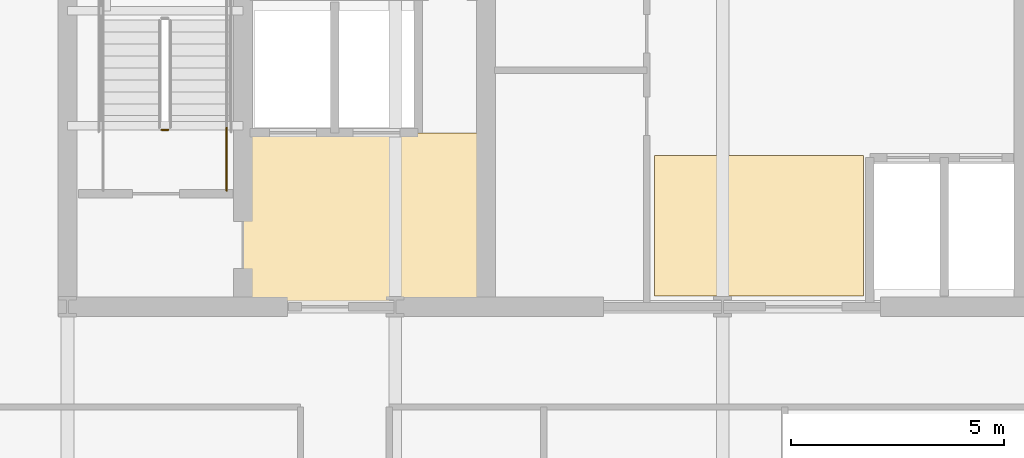
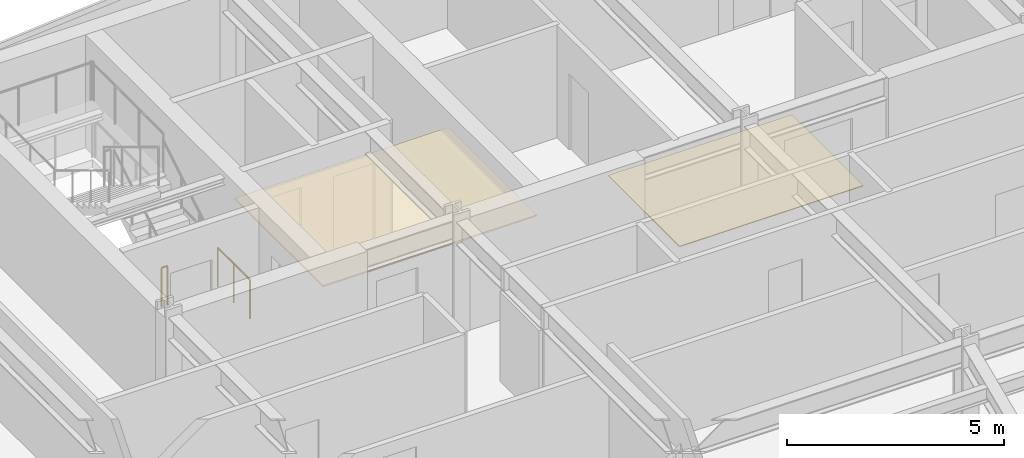
# One storey, part 28 of 32: 2 coverings, 2 railings.
"""IFC4 building model written with IfcOpenShell, lengths in metres."""

import ifcopenshell
import ifcopenshell.guid

model = None  # the IFC model being written
_history = None  # IfcOwnerHistory: only IFC2X3 demands one
_inside = {}  # id of a spatial element -> (the spatial element, [elements in it])
_under = {}  # id of a project, library or spatial element -> (it, [spatial elements below it])
_declared = {}  # id of a project -> (the project, [libraries it declares])
_typed = {}  # id of a type object -> (the type object, [elements of that type])
_made_of = {}  # id of a material, layer set ... -> (it, [elements and type objects made of it])


def new_model(schema):
    """Start an empty IFC model of exactly this schema.

    Asked for "IFC4X3", IfcOpenShell would pick the latest addendum, in which some entities
    have other attributes; the version numbers below select the first issue.
    IFC2X3 requires an IfcOwnerHistory on every rooted entity: one is made here for all.
    """
    global model, _history
    if schema == "IFC4X3":
        model = ifcopenshell.file(schema_version=(4, 3, 0, 0))
    else:
        model = ifcopenshell.file(schema=schema)
    _inside.clear()
    _under.clear()
    _declared.clear()
    _typed.clear()
    _made_of.clear()
    _history = None
    if model.schema == "IFC2X3":
        org = make("IfcOrganization", Name="unknown")
        user = make(
            "IfcPersonAndOrganization",
            ThePerson=make("IfcPerson", FamilyName="unknown"),
            TheOrganization=org,
        )
        app = make(
            "IfcApplication",
            ApplicationDeveloper=org,
            Version="unknown",
            ApplicationFullName="unknown",
            ApplicationIdentifier="unknown",
        )
        _history = make(
            "IfcOwnerHistory",
            OwningUser=user,
            OwningApplication=app,
            ChangeAction="ADDED",
            CreationDate=0,
        )
    return model


def make(cls, **values):
    """One entity of the class cls with the attributes given. An attribute that is None is left unset."""
    return model.create_entity(
        cls, **{name: value for name, value in values.items() if value is not None}
    )


def rooted(cls, **values):
    """An entity with a GlobalId (a new one), such as an element, a storey or a relation."""
    return make(cls, GlobalId=ifcopenshell.guid.new(), OwnerHistory=_history, **values)


def si_unit(unit_type, name, prefix=None):
    """IfcSIUnit, for example si_unit("LENGTHUNIT", "METRE", prefix="MILLI")."""
    return make("IfcSIUnit", UnitType=unit_type, Prefix=prefix, Name=name)


def assignment(units):
    """IfcUnitAssignment: the units of a project."""
    return None if units is None else make("IfcUnitAssignment", Units=units)


def point(xyz):
    """IfcCartesianPoint."""
    return None if xyz is None else make("IfcCartesianPoint", Coordinates=xyz)


def direction(xyz):
    """IfcDirection."""
    return None if xyz is None else make("IfcDirection", DirectionRatios=xyz)


def frame(location, z_axis=None, x_axis=None):
    """IfcAxis2Placement3D, a coordinate frame: its origin and axes. An axis left out is left unset."""
    return make(
        "IfcAxis2Placement3D",
        Location=point(location),
        Axis=direction(z_axis),
        RefDirection=direction(x_axis),
    )


def frame_2d(location, x_axis=None):
    """IfcAxis2Placement2D, a coordinate frame in the plane: its origin and x axis."""
    return make(
        "IfcAxis2Placement2D", Location=point(location), RefDirection=direction(x_axis)
    )


def origin():
    """The frame at (0, 0, 0) with its axes left unset."""
    return frame((0.0, 0.0, 0.0))


def origin_2d():
    """The frame at (0, 0) in the plane with its x axis left unset."""
    return frame_2d((0.0, 0.0))


def place(relative_to, where):
    """IfcLocalPlacement: puts the frame where relative to a parent placement (None: the world)."""
    return make(
        "IfcLocalPlacement", PlacementRelTo=relative_to, RelativePlacement=where
    )


def context(
    kind, dimensions, precision=None, world=None, true_north=None, identifier=None
):
    """IfcGeometricRepresentationContext, for example the 3D "Model" context."""
    return make(
        "IfcGeometricRepresentationContext",
        ContextIdentifier=identifier,
        ContextType=kind,
        CoordinateSpaceDimension=dimensions,
        Precision=precision,
        WorldCoordinateSystem=world,
        TrueNorth=true_north,
    )


def subcontext(parent, identifier, kind, view, scale=None):
    """IfcGeometricRepresentationSubContext, for example "Body" below "Model"."""
    return make(
        "IfcGeometricRepresentationSubContext",
        ContextIdentifier=identifier,
        ContextType=kind,
        ParentContext=parent,
        TargetScale=scale,
        TargetView=view,
    )


def project(units=None, contexts=None):
    """IfcProject with its units and contexts."""
    return rooted(
        "IfcProject",
        Name="project",
        RepresentationContexts=contexts,
        UnitsInContext=assignment(units),
    )


def spatial(cls, under=None, at=None, **own):
    """A site, building, storey or space (cls), placed at a placement, below another one or the project."""
    s = rooted(cls, ObjectPlacement=at, **own)
    if under is not None:
        _under.setdefault(under.id(), (under, []))[1].append(s)
    return s


def polyline(points):
    """IfcPolyline through the points."""
    return make("IfcPolyline", Points=[point(p) for p in points])


def profile(cls, at=None, kind="AREA", **sizes):
    """A parametric profile (cls). Its sizes go by their IFC names, for example OverallWidth=200.0."""
    return make(cls, ProfileType=kind, Position=at, **sizes)


def circle(**sizes):
    """IfcCircleProfileDef."""
    return profile("IfcCircleProfileDef", **sizes)


def outline(outer, holes=None, kind="AREA"):
    """IfcArbitraryClosedProfileDef: a profile drawn as a closed curve; with holes, ...WithVoids."""
    if holes is None:
        return make("IfcArbitraryClosedProfileDef", ProfileType=kind, OuterCurve=outer)
    return make(
        "IfcArbitraryProfileDefWithVoids",
        ProfileType=kind,
        OuterCurve=outer,
        InnerCurves=holes,
    )


def extrude(swept, where, along, depth):
    """IfcExtrudedAreaSolid: the profile swept, set in the frame where, extruded along a direction by depth."""
    return make(
        "IfcExtrudedAreaSolid",
        SweptArea=swept,
        Position=where,
        ExtrudedDirection=direction(along),
        Depth=depth,
    )


def shape(context_of_items, identifier, shape_type, items):
    """IfcShapeRepresentation: the items that make up one representation, for example the "Body"."""
    return make(
        "IfcShapeRepresentation",
        ContextOfItems=context_of_items,
        RepresentationIdentifier=identifier,
        RepresentationType=shape_type,
        Items=items,
    )


def material(Name=None, Category=None):
    """IfcMaterial."""
    return make("IfcMaterial", Name=Name, Category=Category)


def layer(
    of_material, thickness, ventilated=None, Name=None, Category=None, Priority=None
):
    """IfcMaterialLayer: one layer of a wall or slab, of a material (None: an air gap)."""
    return make(
        "IfcMaterialLayer",
        Material=of_material,
        LayerThickness=thickness,
        IsVentilated=ventilated,
        Name=Name,
        Category=Category,
        Priority=Priority,
    )


def layer_set(layers, Name=None):
    """IfcMaterialLayerSet."""
    return make("IfcMaterialLayerSet", MaterialLayers=layers, LayerSetName=Name)


def made_of(thing, what):
    """Note that an element or type object is made of a material, layer set ...; save() writes the relation."""
    if what is not None:
        _made_of.setdefault(what.id(), (what, []))[1].append(thing)
    return thing


def type_object(cls, material=None, **own):
    """A type object (cls), such as IfcWallType, which elements share."""
    return made_of(rooted(cls, **own), material)


def element(
    cls,
    number,
    at=None,
    inside=None,
    cuts=None,
    type_object=None,
    material=None,
    context=None,
    identifier="Body",
    shape_type=None,
    held_by="IfcProductDefinitionShape",
    body=None,
    shapes=None,
    **own,
):
    """One element of the class cls, such as IfcWall. Its Tag is "e" and its number.

    at: its placement. inside: the storey or other place that contains it. cuts: it is an
    opening in that element (IfcRelVoidsElement). A single representation is given by context,
    identifier, shape_type and body (its items); several are given by shapes. held_by: the class
    of the entity that holds the representations. save() writes the other relations.
    """
    e = rooted(cls, Tag="e%d" % number, ObjectPlacement=at, **own)
    if body is not None:
        shapes = [shape(context, identifier, shape_type, body)]
    if shapes is not None:
        e.Representation = make(held_by, Representations=shapes)
    if inside is not None:
        _inside.setdefault(inside.id(), (inside, []))[1].append(e)
    if cuts is not None:
        rooted(
            "IfcRelVoidsElement", RelatingBuildingElement=cuts, RelatedOpeningElement=e
        )
    if type_object is not None:
        _typed.setdefault(type_object.id(), (type_object, []))[1].append(e)
    return made_of(e, material)


def aggregate(whole, parts):
    """IfcRelAggregates: a whole, such as a stair, and the parts it consists of."""
    return rooted("IfcRelAggregates", RelatingObject=whole, RelatedObjects=parts)


def save(model, path):
    """Write the relations noted so far, then the file.

    IfcRelAggregates (storeys below a building ...), IfcRelContainedInSpatialStructure (elements
    in a storey), IfcRelDefinesByType, IfcRelAssociatesMaterial and IfcRelDeclares: one each for
    every whole, place, type object, material and project.
    """
    for whole, parts in _under.values():
        aggregate(whole, parts)
    for where, things in _inside.values():
        rooted(
            "IfcRelContainedInSpatialStructure",
            RelatedElements=things,
            RelatingStructure=where,
        )
    for kind, things in _typed.values():
        rooted("IfcRelDefinesByType", RelatedObjects=things, RelatingType=kind)
    for what, things in _made_of.values():
        rooted("IfcRelAssociatesMaterial", RelatedObjects=things, RelatingMaterial=what)
    for by, libraries in _declared.values():
        rooted("IfcRelDeclares", RelatingContext=by, RelatedDefinitions=libraries)
    model.write(path)


model = new_model("IFC4")

# Units and contexts
model_context = context("Model", 3, precision=1e-05, world=origin(), true_north=direction((0.0, 1.0)))
body_context = subcontext(model_context, "Body", "Model", "MODEL_VIEW")
ifc_project = project(units=[si_unit("LENGTHUNIT", "METRE"), si_unit("AREAUNIT", "SQUARE_METRE"), si_unit("VOLUMEUNIT", "CUBIC_METRE"), si_unit("PLANEANGLEUNIT", "RADIAN"), si_unit("MASSUNIT", "GRAM", prefix="KILO")], contexts=[model_context])

# Site, building, storey
site_placement = place(None, origin())
site = spatial("IfcSite", under=ifc_project, at=site_placement, CompositionType="ELEMENT")
building_placement = place(site_placement, origin())
building = spatial("IfcBuilding", under=site, at=building_placement, Name="Yelkora Congress Tower", CompositionType="ELEMENT")
storey_placement = place(building_placement, frame((0.0, 0.0, 113.5)))
storey = spatial("IfcBuildingStorey", under=building, at=storey_placement, Name="L30", CompositionType="ELEMENT", Elevation=113.5)

# Coverings
ifc_material_1 = material(Name="Perforated mineral-fibre acoustic ceiling", Category="gypsum")
ifc_layer_1 = layer(ifc_material_1, 0.0400390625)
ifc_layer_set_1 = layer_set([ifc_layer_1], Name="Perforated mineral-fibre acoustic ceiling")
covering_type_1 = type_object("IfcCoveringType", Name="COV-CEIL-ACOUSTIC-40", PredefinedType="CEILING", material=ifc_layer_set_1)
covering_1_placement = place(storey_placement, frame((0.0, 0.0, 2.39990234375)))
element("IfcCovering", 1, at=covering_1_placement, inside=storey, type_object=covering_type_1, Name="L30 Firefighting Lobby Acoustic Ceiling", PredefinedType="CEILING", context=body_context, shape_type="SweptSolid", body=[
    extrude(outline(polyline([(27.14990234375, 35.39990234375), (32.85009765625, 35.39990234375), (32.85009765625, 39.47998046875), (27.14990234375, 39.47998046875), (27.14990234375, 35.39990234375)])), origin(), (0.0, 0.0, 1.0), 0.0400390625),
])
ifc_material_2 = material(Name="Polished Anatolian grey granite tile", Category="masonry")
ifc_layer_2 = layer(ifc_material_2, 0.02001953125)
ifc_layer_set_2 = layer_set([ifc_layer_2], Name="Polished Anatolian grey granite tile")
covering_type_2 = type_object("IfcCoveringType", Name="COV-FLOOR-GRANITE-20", PredefinedType="FLOORING", material=ifc_layer_set_2)
covering_2_placement = place(storey_placement, origin())
element("IfcCovering", 2, at=covering_2_placement, inside=storey, type_object=covering_type_2, Name="L30 Lift Lobby Granite Flooring", PredefinedType="FLOORING", context=body_context, shape_type="SweptSolid", body=[
    extrude(outline(polyline([(36.800048828125, 35.64990234375), (41.699951171875, 35.64990234375), (41.699951171875, 38.949951171875), (36.800048828125, 38.949951171875), (36.800048828125, 35.64990234375)])), origin(), (0.0, 0.0, 1.0), 0.02001953125),
])

# Railings
ifc_material_3 = material(Name="Painted galvanised steel stair well guard with vertical infill", Category="steel")
ifc_layer_3 = layer(ifc_material_3, 0.06005859375)
ifc_layer_set_3 = layer_set([ifc_layer_3], Name="Painted galvanised steel stair well guard with vertical infill")
railing_type = type_object("IfcRailingType", Name="RAIL-STAIR-GUARD-1120", PredefinedType="GUARDRAIL", material=ifc_layer_set_3)
railing_1_placement = place(storey_placement, frame((25.39990234375, 39.550048828125, 0.0)))
element("IfcRailing", 3, at=railing_1_placement, inside=storey, type_object=railing_type, Name="ST-01 L30 Stair Well Guardrail 7", PredefinedType="GUARDRAIL", context=body_context, shape_type="SweptSolid", body=[
    extrude(circle(Radius=0.02392578125, at=origin_2d()), frame((0.0, 0.0, 1.09619140625), z_axis=(-1.0, 0.0, 0.0), x_axis=(0.0, -1.0, 0.0)), (0.0, 0.0, 1.0), 0.159912109375),
    extrude(circle(Radius=0.02099609375, at=origin_2d()), origin(), (0.0, 0.0, 1.0), 1.072021484375),
    extrude(circle(Radius=0.02099609375, at=origin_2d()), frame((-0.159912109375, 0.0, 0.0)), (0.0, 0.0, 1.0), 1.072021484375),
])
railing_2_placement = place(storey_placement, frame((26.77001953125, 38.1201171875, 0.0)))
element("IfcRailing", 4, at=railing_2_placement, inside=storey, type_object=railing_type, Name="ST-01 L30 Stair Well Guardrail 8", PredefinedType="GUARDRAIL", context=body_context, shape_type="SweptSolid", body=[
    extrude(circle(Radius=0.02392578125, at=origin_2d()), frame((0.0, 0.0, 1.09619140625), z_axis=(0.0, 1.0, 0.0), x_axis=(-1.0, 0.0, 0.0)), (0.0, 0.0, 1.0), 1.47998046875),
    extrude(circle(Radius=0.02099609375, at=origin_2d()), origin(), (0.0, 0.0, 1.0), 1.072021484375),
    extrude(circle(Radius=0.02099609375, at=origin_2d()), frame((0.0, 0.739990234375, 0.0)), (0.0, 0.0, 1.0), 1.072021484375),
    extrude(circle(Radius=0.02099609375, at=origin_2d()), frame((0.0, 1.47998046875, 0.0)), (0.0, 0.0, 1.0), 1.072021484375),
])

save(model, "model.ifc")
